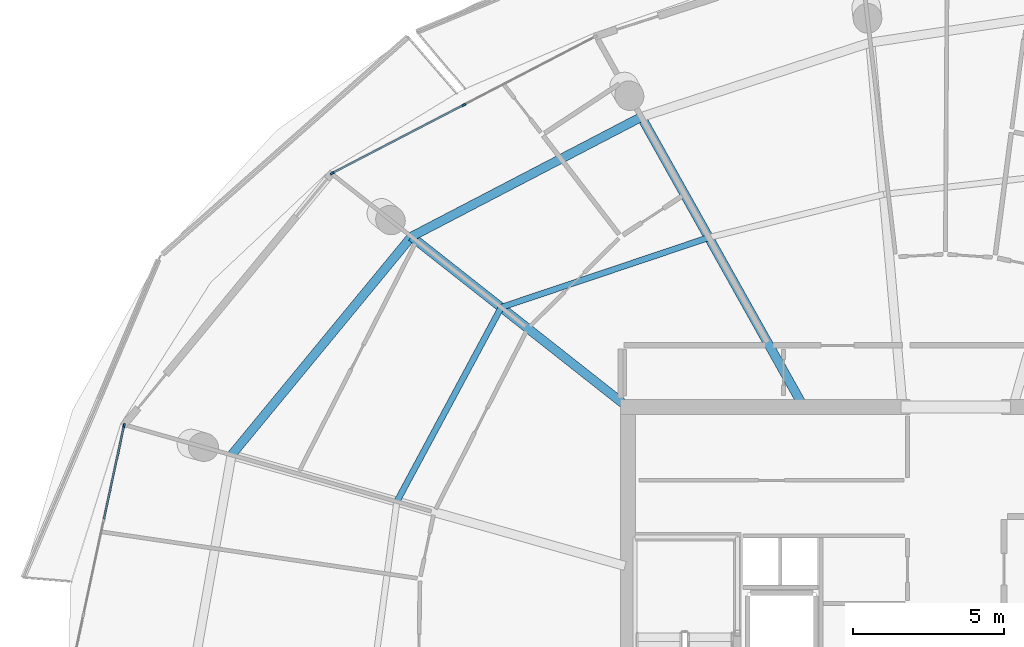
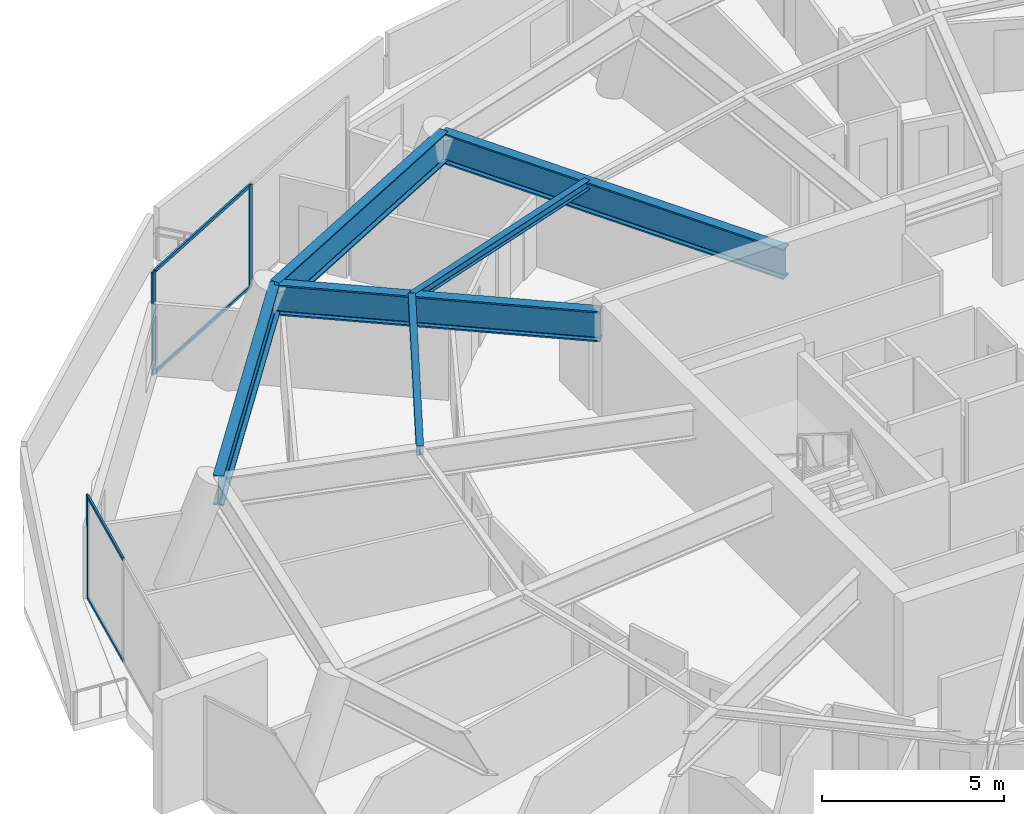
# One storey, part 11 of 27: 7 members, 6 beams, 2 elements without a shape of their own.
"""IFC4 building model written with IfcOpenShell, lengths in metres."""

from ifc_helpers import new_model, si_unit, direction, frame, origin, origin_2d, place, context, subcontext, project, spatial, rectangle, i_section, extrude, material, layer, layer_set, material_profile, profile_set, type_object, element, aggregate, save


model = new_model("IFC4")

# Units and contexts
model_context = context("Model", 3, precision=1e-05, world=origin(), true_north=direction((0.0, 1.0)))
body_context = subcontext(model_context, "Body", "Model", "MODEL_VIEW")
ifc_project = project(units=[si_unit("LENGTHUNIT", "METRE"), si_unit("AREAUNIT", "SQUARE_METRE"), si_unit("VOLUMEUNIT", "CUBIC_METRE"), si_unit("PLANEANGLEUNIT", "RADIAN"), si_unit("MASSUNIT", "GRAM", prefix="KILO")], contexts=[model_context])

# Site, building, storey
site_placement = place(None, origin())
site = spatial("IfcSite", under=ifc_project, at=site_placement, CompositionType="ELEMENT")
building_placement = place(site_placement, origin())
building = spatial("IfcBuilding", under=site, at=building_placement, Name="Kazma Halo Residences", CompositionType="ELEMENT")
storey_placement = place(building_placement, frame((0.0, 0.0, 306.0)))
storey = spatial("IfcBuildingStorey", under=building, at=storey_placement, Name="L77", CompositionType="ELEMENT", Elevation=306.0)

# Beams
ifc_material_1 = material(Name="Steel S355", Category="steel")
ifc_material_profile_1 = material_profile(ifc_material_1, i_section(OverallWidth=0.202880859375, OverallDepth=0.302978515625, WebThickness=0.007568359375, FlangeThickness=0.01318359375, FilletRadius=0.013916015625, at=origin_2d()), Name="W310x60")
ifc_profile_set_1 = profile_set([ifc_material_profile_1], Name="Steel S355")
beam_type_1 = type_object("IfcBeamType", Name="BM-SEC-W310A", PredefinedType="JOIST", material=ifc_profile_set_1)
beam_1_placement = place(storey_placement, frame((40.22900390625, 55.87646484375, 3.298583984375), z_axis=(-0.947820152847, -0.318805517294, 0.0), x_axis=(0.318805517294, -0.947820152847, 0.0)))
element("IfcBeam", 1, at=beam_1_placement, inside=storey, type_object=beam_type_1, Name="L77 circumferential floor joist 05", PredefinedType="JOIST", context=body_context, shape_type="SweptSolid", body=[
    extrude(i_section(OverallWidth=0.202880859375, OverallDepth=0.302978515625, WebThickness=0.007568359375, FlangeThickness=0.01318359375, FilletRadius=0.013916015625, at=origin_2d()), origin(), (0.0, 0.0, 1.0), 7.2705078125),
])
beam_2_placement = place(storey_placement, frame((33.337890625, 53.55859375, 3.298583984375), z_axis=(-0.4733476687, -0.880875691875, 0.0), x_axis=(0.880875691875, -0.4733476687, 0.0)))
element("IfcBeam", 2, at=beam_2_placement, inside=storey, type_object=beam_type_1, Name="L77 circumferential floor joist 06", PredefinedType="JOIST", context=body_context, shape_type="SweptSolid", body=[
    extrude(i_section(OverallWidth=0.202880859375, OverallDepth=0.302978515625, WebThickness=0.007568359375, FlangeThickness=0.01318359375, FilletRadius=0.013916015625, at=origin_2d()), origin(), (0.0, 0.0, 1.0), 7.318359375),
])
ifc_material_profile_2 = material_profile(ifc_material_1, i_section(OverallWidth=0.302001953125, OverallDepth=1.01806640625, WebThickness=0.021484375, FlangeThickness=0.049072265625, FilletRadius=0.028076171875, at=origin_2d()), Name="W1000x443")
ifc_profile_set_2 = profile_set([ifc_material_profile_2], Name="Steel S355")
beam_type_2 = type_object("IfcBeamType", Name="BM-TRANS-W1000A", PredefinedType="BEAM", material=ifc_profile_set_2)
beam_3_placement = place(storey_placement, frame((43.32373046875, 50.35009765625, 2.94091796875), z_axis=(-0.488618345646, 0.872497628821, 0.0), x_axis=(-0.872497628821, -0.488618345646, 0.0)))
element("IfcBeam", 3, at=beam_3_placement, inside=storey, type_object=beam_type_2, Name="L77 podium radial transfer girder 05", PredefinedType="BEAM", context=body_context, shape_type="SweptSolid", body=[
    extrude(i_section(OverallWidth=0.302001953125, OverallDepth=1.01806640625, WebThickness=0.021484375, FlangeThickness=0.049072265625, FilletRadius=0.028076171875, at=origin_2d()), origin(), (0.0, 0.0, 1.0), 10.92041015625),
])
beam_4_placement = place(storey_placement, frame((37.449951171875, 50.31689453125, 2.94091796875), z_axis=(-0.785307596827, 0.619105789317, 0.0), x_axis=(-0.619105789317, -0.785307596827, 0.0)))
element("IfcBeam", 4, at=beam_4_placement, inside=storey, type_object=beam_type_2, Name="L77 podium radial transfer girder 06", PredefinedType="BEAM", context=body_context, shape_type="SweptSolid", body=[
    extrude(i_section(OverallWidth=0.302001953125, OverallDepth=1.01806640625, WebThickness=0.021484375, FlangeThickness=0.049072265625, FilletRadius=0.028076171875, at=origin_2d()), origin(), (0.0, 0.0, 1.0), 9.028076171875),
])
ifc_material_profile_3 = material_profile(ifc_material_1, i_section(OverallWidth=0.300048828125, OverallDepth=1.0, WebThickness=0.01904296875, FlangeThickness=0.0400390625, FilletRadius=0.02587890625, at=origin_2d()), Name="W1000x371")
ifc_profile_set_3 = profile_set([ifc_material_profile_3], Name="Steel S355")
beam_type_3 = type_object("IfcBeamType", Name="BM-TRANS-W1000B", PredefinedType="BEAM", material=ifc_profile_set_3)
beam_5_placement = place(storey_placement, frame((37.98779296875, 59.878173828125, 2.949951171875), z_axis=(-0.886953577224, -0.461858584254, 0.0), x_axis=(0.461858584254, -0.886953577224, 0.0)))
element("IfcBeam", 5, at=beam_5_placement, inside=storey, type_object=beam_type_3, Name="L77 perimeter ring beam 05", PredefinedType="BEAM", context=body_context, shape_type="SweptSolid", body=[
    extrude(i_section(OverallWidth=0.300048828125, OverallDepth=1.0, WebThickness=0.01904296875, FlangeThickness=0.0400390625, FilletRadius=0.02587890625, at=origin_2d()), origin(), (0.0, 0.0, 1.0), 8.599853515625),
])
beam_6_placement = place(storey_placement, frame((30.360107421875, 55.90625, 2.949951171875), z_axis=(-0.636004274797, -0.771685533388, 0.0), x_axis=(0.771685533388, -0.636004274797, 0.0)))
element("IfcBeam", 6, at=beam_6_placement, inside=storey, type_object=beam_type_3, Name="L77 perimeter ring beam 06", PredefinedType="BEAM", context=body_context, shape_type="SweptSolid", body=[
    extrude(i_section(OverallWidth=0.300048828125, OverallDepth=1.0, WebThickness=0.01904296875, FlangeThickness=0.0400390625, FilletRadius=0.02587890625, at=origin_2d()), origin(), (0.0, 0.0, 1.0), 9.390869140625),
])

# Curtain wall, members
ifc_material_2 = material(Name="Aluminium AW-6063 T6 and Triple-Silver Low-E Glass", Category="aluminium")
ifc_layer = layer(ifc_material_2, 0.139892578125)
ifc_layer_set = layer_set([ifc_layer], Name="Aluminium AW-6063 T6 and Triple-Silver Low-E Glass")
curtain_wall_type = type_object("IfcCurtainWallType", Name="CW-SYS-5", PredefinedType="NOTDEFINED", material=ifc_layer_set)
curtain_wall_1_placement = place(storey_placement, origin())
curtain_wall_1 = element("IfcCurtainWall", 7, at=curtain_wall_1_placement, inside=storey, type_object=curtain_wall_type, Name="L77 unitised curtain wall B05", PredefinedType="NOTDEFINED")
ifc_material_3 = material(Name="Aluminium AW-6063 T6", Category="aluminium")
ifc_material_profile_4 = material_profile(ifc_material_3, rectangle(XDim=0.06005859375, YDim=0.139892578125, at=origin_2d()), Name="CWM-60x140")
ifc_profile_set_4 = profile_set([ifc_material_profile_4], Name="Aluminium AW-6063 T6")
member_type_1 = type_object("IfcMemberType", Name="CW-SYS-5-MUL", PredefinedType="MULLION", material=ifc_profile_set_4)
member_1_placement = place(storey_placement, frame((32.097412109375, 60.277099609375, 0.0), z_axis=(0.0, 0.0, 1.0), x_axis=(0.460915397592, -0.88744408064, 0.0)))
member_1 = element("IfcMember", 8, at=member_1_placement, type_object=member_type_1, Name="CWS-5 mullion 2", PredefinedType="MULLION", context=body_context, shape_type="SweptSolid", body=[
    extrude(rectangle(XDim=0.06005859375, YDim=0.139892578125, at=origin_2d()), origin(), (0.0, 0.0, 1.0), 3.449951171875),
])
member_2_placement = place(storey_placement, frame((27.734130859375, 58.010986328125, 0.0), z_axis=(0.0, 0.0, 1.0), x_axis=(0.460915397592, -0.88744408064, 0.0)))
member_2 = element("IfcMember", 9, at=member_2_placement, type_object=member_type_1, Name="CWS-5 mullion 3", PredefinedType="MULLION", context=body_context, shape_type="SweptSolid", body=[
    extrude(rectangle(XDim=0.06005859375, YDim=0.139892578125, at=origin_2d()), origin(), (0.0, 0.0, 1.0), 3.449951171875),
])

# Curtain wall, member
curtain_wall_2_placement = place(storey_placement, origin())
curtain_wall_2 = element("IfcCurtainWall", 10, at=curtain_wall_2_placement, inside=storey, type_object=curtain_wall_type, Name="L77 unitised curtain wall B07", PredefinedType="NOTDEFINED")
member_3_placement = place(storey_placement, frame((20.820068359375, 49.634521484375, 0.0), z_axis=(0.0, 0.0, 1.0), x_axis=(0.977770842805, -0.209676367197, 0.0)))
member_3 = element("IfcMember", 11, at=member_3_placement, type_object=member_type_1, Name="CWS-5 mullion 1", PredefinedType="MULLION", context=body_context, shape_type="SweptSolid", body=[
    extrude(rectangle(XDim=0.06005859375, YDim=0.139892578125, at=origin_2d()), origin(), (0.0, 0.0, 1.0), 3.449951171875),
])

# Member
ifc_material_profile_5 = material_profile(ifc_material_3, rectangle(XDim=0.06005859375, YDim=0.10498046875, at=origin_2d()), Name="CWT-60x105")
ifc_profile_set_5 = profile_set([ifc_material_profile_5], Name="Aluminium AW-6063 T6")
member_type_2 = type_object("IfcMemberType", Name="CW-SYS-5-TRN", PredefinedType="USERDEFINED", material=ifc_profile_set_5)
member_4_placement = place(storey_placement, frame((32.07080078125, 60.263427734375, 0.030029296875), z_axis=(-0.887444675026, -0.460914253162, 0.0), x_axis=(0.460914253162, -0.887444675026, 0.0)))
member_4 = element("IfcMember", 12, at=member_4_placement, type_object=member_type_2, Name="CWS-5 transom 2.1", ObjectType="TRANSOM", PredefinedType="USERDEFINED", context=body_context, shape_type="SweptSolid", body=[
    extrude(rectangle(XDim=0.06005859375, YDim=0.10498046875, at=origin_2d()), origin(), (0.0, 0.0, 1.0), 4.856689453125),
])

member_5_placement = place(storey_placement, frame((32.07080078125, 60.263427734375, 3.419921875), z_axis=(-0.887444675026, -0.460914253162, 0.0), x_axis=(0.460914253162, -0.887444675026, 0.0)))
member_5 = element("IfcMember", 13, at=member_5_placement, type_object=member_type_2, Name="CWS-5 transom 2.2", ObjectType="TRANSOM", PredefinedType="USERDEFINED", context=body_context, shape_type="SweptSolid", body=[
    extrude(rectangle(XDim=0.06005859375, YDim=0.10498046875, at=origin_2d()), origin(), (0.0, 0.0, 1.0), 4.856689453125),
])

aggregate(curtain_wall_1, [member_1, member_2, member_4, member_5])

member_6_placement = place(storey_placement, frame((20.813720703125, 49.605224609375, 0.030029296875), z_axis=(-0.20967243669, -0.977771685667, 0.0), x_axis=(0.977771685667, -0.20967243669, 0.0)))
member_6 = element("IfcMember", 14, at=member_6_placement, type_object=member_type_2, Name="CWS-5 transom 1.1", ObjectType="TRANSOM", PredefinedType="USERDEFINED", context=body_context, shape_type="SweptSolid", body=[
    extrude(rectangle(XDim=0.06005859375, YDim=0.10498046875, at=origin_2d()), origin(), (0.0, 0.0, 1.0), 3.140380859375),
])

member_7_placement = place(storey_placement, frame((20.813720703125, 49.605224609375, 3.419921875), z_axis=(-0.20967243669, -0.977771685667, 0.0), x_axis=(0.977771685667, -0.20967243669, 0.0)))
member_7 = element("IfcMember", 15, at=member_7_placement, type_object=member_type_2, Name="CWS-5 transom 1.2", ObjectType="TRANSOM", PredefinedType="USERDEFINED", context=body_context, shape_type="SweptSolid", body=[
    extrude(rectangle(XDim=0.06005859375, YDim=0.10498046875, at=origin_2d()), origin(), (0.0, 0.0, 1.0), 3.140380859375),
])

aggregate(curtain_wall_2, [member_3, member_6, member_7])

save(model, "model.ifc")
